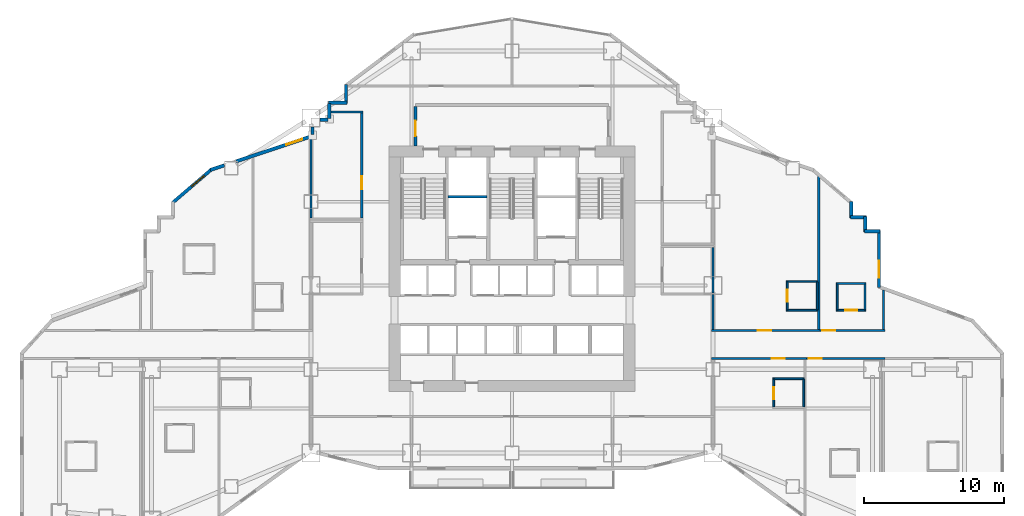
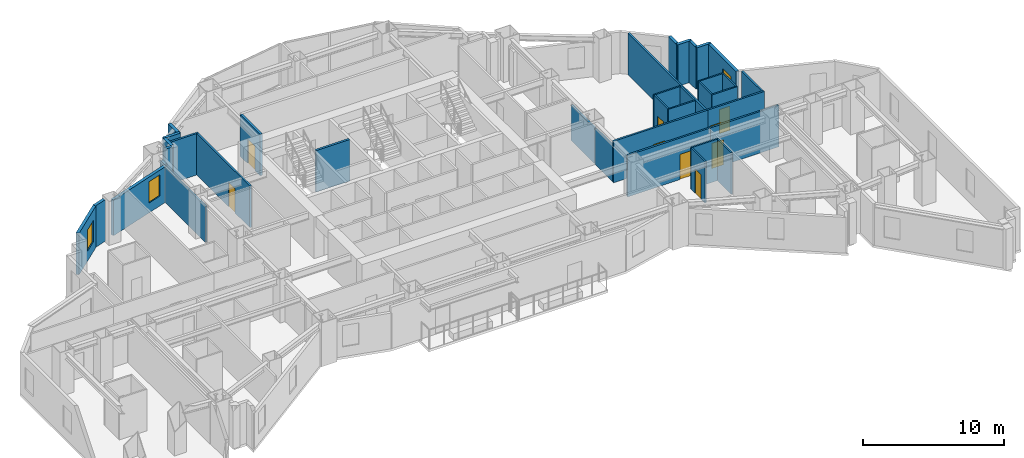
# One storey, part 10 of 17: 37 walls, 9 doors, 3 windows, 12 openings.
"""IFC4 building model written with IfcOpenShell, lengths in metres."""

from ifc_helpers import new_model, si_unit, direction, frame, frame_2d, origin, place, context, subcontext, project, spatial, rectangle, extrude, material, layer, layer_set, type_object, element, fill, save


model = new_model("IFC4")

# Units and contexts
model_context = context("Model", 3, precision=1e-05, world=origin(), true_north=direction((0.0, 1.0)))
body_context = subcontext(model_context, "Body", "Model", "MODEL_VIEW")
ifc_project = project(units=[si_unit("LENGTHUNIT", "METRE"), si_unit("AREAUNIT", "SQUARE_METRE"), si_unit("VOLUMEUNIT", "CUBIC_METRE"), si_unit("PLANEANGLEUNIT", "RADIAN"), si_unit("MASSUNIT", "GRAM", prefix="KILO")], contexts=[model_context])

# Site, building, storey
site_placement = place(None, origin())
site = spatial("IfcSite", under=ifc_project, at=site_placement, CompositionType="ELEMENT")
building_placement = place(site_placement, origin())
building = spatial("IfcBuilding", under=site, at=building_placement, Name="Haolan Belvedere Tower", CompositionType="ELEMENT")
storey_placement = place(building_placement, frame((0.0, 0.0, 27.800048828125)))
storey = spatial("IfcBuildingStorey", under=building, at=storey_placement, Name="L06", CompositionType="ELEMENT", Elevation=27.800048828125)

# Wall, opening, window
ifc_material_1 = material(Name="Precast concrete C40/50", Category="concrete")
ifc_layer_1 = layer(ifc_material_1, 0.239990234375, Name="Precast concrete C40/50")
ifc_layer_set_1 = layer_set([ifc_layer_1], Name="Precast concrete C40/50")
wall_type_1 = type_object("IfcWallType", Name="WL-EXT-240", PredefinedType="SOLIDWALL", material=ifc_layer_set_1)
wall_1_placement = place(storey_placement, frame((64.679931640625, 33.4609375, 0.0), z_axis=(0.0, 0.0, 1.0), x_axis=(0.0, 1.0, 0.0)))
wall_1 = element("IfcWall", 1, at=wall_1_placement, inside=storey, type_object=wall_type_1, Name="L06 pale-metal exterior spandrel wall 29.1", PredefinedType="SOLIDWALL", context=body_context, shape_type="SweptSolid", body=[
    extrude(rectangle(XDim=4.073974609375, YDim=0.239990234375, at=frame_2d((2.037109375, 0.0))), origin(), (0.0, 0.0, 1.0), 3.599853515625),
])
opening_1_placement = place(wall_1_placement, frame((0.699951171875, 0.0, 0.85009765625)))
opening_1 = element("IfcOpeningElement", 2, at=opening_1_placement, cuts=wall_1, Name="Opening W-01", PredefinedType="OPENING", context=body_context, shape_type="SweptSolid", body=[
    extrude(rectangle(XDim=1.199951171875, YDim=1.85009765625, at=frame_2d((0.60009765625, 0.925048828125))), frame((0.0, 0.1298828125, 0.0), z_axis=(0.0, -1.0, 0.0), x_axis=(1.0, 0.0, 0.0)), (0.0, 0.0, 1.0), 0.260009765625),
])
ifc_material_2 = material(Name="Anodised aluminium 6063-T6 and Low-E glass", Category="aluminium")
window_type = type_object("IfcWindowType", Name="WN-DECO-Z1", PartitioningType="SINGLE_PANEL", PredefinedType="WINDOW", material=ifc_material_2)
window_1_placement = place(opening_1_placement, origin())
window_1 = element("IfcWindow", 3, at=window_1_placement, inside=storey, type_object=window_type, Name="L06 Art Deco chevron window 1", OverallHeight=1.85009765625, OverallWidth=1.199951171875, PartitioningType="SINGLE_PANEL", PredefinedType="WINDOW", context=body_context, shape_type="SweptSolid", body=[
    extrude(rectangle(XDim=1.199951171875, YDim=1.85009765625, at=frame_2d((0.60009765625, 0.925048828125))), frame((0.0, 0.030029296875, 0.0), z_axis=(0.0, -1.0, 0.0), x_axis=(1.0, 0.0, 0.0)), (0.0, 0.0, 1.0), 0.06005859375),
])
fill(opening_1, window_1)

# Walls
wall_2_placement = place(storey_placement, frame((64.735107421875, 37.47998046875, 0.0), z_axis=(0.0, 0.0, 1.0), x_axis=(-1.0, 0.0, 0.0)))
element("IfcWall", 4, at=wall_2_placement, inside=storey, type_object=wall_type_1, Name="L06 pale-metal exterior spandrel wall 30.1", PredefinedType="SOLIDWALL", context=body_context, shape_type="SweptSolid", body=[
    extrude(rectangle(XDim=1.110107421875, YDim=0.239990234375, at=frame_2d((0.55517578125, 0.0))), origin(), (0.0, 0.0, 1.0), 3.599853515625),
])
wall_3_placement = place(storey_placement, frame((63.679931640625, 37.425048828125, 0.0), z_axis=(0.0, 0.0, 1.0), x_axis=(0.0, 1.0, 0.0)))
element("IfcWall", 5, at=wall_3_placement, inside=storey, type_object=wall_type_1, Name="L06 pale-metal exterior spandrel wall 31.1", PredefinedType="SOLIDWALL", context=body_context, shape_type="SweptSolid", body=[
    extrude(rectangle(XDim=1.10986328125, YDim=0.239990234375, at=frame_2d((0.554931640625, 0.0))), origin(), (0.0, 0.0, 1.0), 3.599853515625),
])
wall_4_placement = place(storey_placement, frame((63.735107421875, 38.47998046875, 0.0), z_axis=(0.0, 0.0, 1.0), x_axis=(-1.0, 0.0, 0.0)))
element("IfcWall", 6, at=wall_4_placement, inside=storey, type_object=wall_type_1, Name="L06 pale-metal exterior spandrel wall 32.1", PredefinedType="SOLIDWALL", context=body_context, shape_type="SweptSolid", body=[
    extrude(rectangle(XDim=1.110107421875, YDim=0.239990234375, at=frame_2d((0.55517578125, 0.0))), origin(), (0.0, 0.0, 1.0), 3.599853515625),
])
wall_5_placement = place(storey_placement, frame((62.679931640625, 38.425048828125, 0.0), z_axis=(0.0, 0.0, 1.0), x_axis=(0.0, 1.0, 0.0)))
element("IfcWall", 7, at=wall_5_placement, inside=storey, type_object=wall_type_1, Name="L06 pale-metal exterior spandrel wall 33.1", PredefinedType="SOLIDWALL", context=body_context, shape_type="SweptSolid", body=[
    extrude(rectangle(XDim=1.1748046875, YDim=0.239990234375, at=frame_2d((0.58740234375, 0.0))), origin(), (0.0, 0.0, 1.0), 3.599853515625),
])
wall_6_placement = place(storey_placement, frame((26.52001953125, 47.9951171875, 0.0), z_axis=(0.0, 0.0, 1.0), x_axis=(0.0, -1.0, 0.0)))
element("IfcWall", 8, at=wall_6_placement, inside=storey, type_object=wall_type_1, Name="L06 pale-metal exterior spandrel wall 45.1", PredefinedType="SOLIDWALL", context=body_context, shape_type="SweptSolid", body=[
    extrude(rectangle(XDim=1.3701171875, YDim=0.239990234375, at=frame_2d((0.68505859375, 0.0))), origin(), (0.0, 0.0, 1.0), 3.599853515625),
])
wall_7_placement = place(storey_placement, frame((26.574951171875, 46.679931640625, 0.0), z_axis=(0.0, 0.0, 1.0), x_axis=(-1.0, 0.0, 0.0)))
element("IfcWall", 9, at=wall_7_placement, inside=storey, type_object=wall_type_1, Name="L06 pale-metal exterior spandrel wall 46.1", PredefinedType="SOLIDWALL", context=body_context, shape_type="SweptSolid", body=[
    extrude(rectangle(XDim=1.31005859375, YDim=0.239990234375, at=frame_2d((0.655029296875, 0.0))), origin(), (0.0, 0.0, 1.0), 3.599853515625),
])
wall_8_placement = place(storey_placement, frame((25.320068359375, 46.614990234375, 0.0), z_axis=(0.0, 0.0, 1.0), x_axis=(0.0, -1.0, 0.0)))
element("IfcWall", 10, at=wall_8_placement, inside=storey, type_object=wall_type_1, Name="L06 pale-metal exterior spandrel wall 47.1", PredefinedType="SOLIDWALL", context=body_context, shape_type="SweptSolid", body=[
    extrude(rectangle(XDim=1.050048828125, YDim=0.239990234375, at=frame_2d((0.52490234375, 0.0))), origin(), (0.0, 0.0, 1.0), 3.599853515625),
])
wall_9_placement = place(storey_placement, frame((25.235107421875, 45.47998046875, 0.0), z_axis=(0.0, 0.0, 1.0), x_axis=(-1.0, 0.0, 0.0)))
element("IfcWall", 11, at=wall_9_placement, inside=storey, type_object=wall_type_1, Name="L06 pale-metal exterior spandrel wall 48.1", PredefinedType="SOLIDWALL", context=body_context, shape_type="SweptSolid", body=[
    extrude(rectangle(XDim=0.593017578125, YDim=0.239990234375, at=frame_2d((0.29638671875, 0.0))), origin(), (0.0, 0.0, 1.0), 3.599853515625),
])
wall_10_placement = place(storey_placement, frame((24.1201171875, 44.9580078125, 0.0), z_axis=(0.0, 0.0, 1.0), x_axis=(0.0, -1.0, 0.0)))
element("IfcWall", 12, at=wall_10_placement, inside=storey, type_object=wall_type_1, Name="L06 pale-metal exterior spandrel wall 49.1", PredefinedType="SOLIDWALL", context=body_context, shape_type="SweptSolid", body=[
    extrude(rectangle(XDim=0.5595703125, YDim=0.239990234375, at=frame_2d((0.27978515625, 0.0))), origin(), (0.0, 0.0, 1.0), 3.096923828125),
])

# Wall, opening, window
wall_11_placement = place(storey_placement, frame((24.039306640625, 44.28662109375, 0.0), z_axis=(0.0, 0.0, 1.0), x_axis=(-0.948678995954, -0.316240672014, 0.0)))
wall_11 = element("IfcWall", 13, at=wall_11_placement, inside=storey, type_object=wall_type_1, Name="L06 pale-metal exterior spandrel wall 50.1", PredefinedType="SOLIDWALL", context=body_context, shape_type="SweptSolid", body=[
    extrude(rectangle(XDim=5.675048828125, YDim=0.239990234375, at=frame_2d((2.83740234375, 0.0))), origin(), (0.0, 0.0, 1.0), 3.096923828125),
])
opening_2_placement = place(wall_11_placement, frame((0.699951171875, 0.0, 0.85009765625)))
opening_2 = element("IfcOpeningElement", 14, at=opening_2_placement, cuts=wall_11, Name="Opening W-01", PredefinedType="OPENING", context=body_context, shape_type="SweptSolid", body=[
    extrude(rectangle(XDim=1.199951171875, YDim=1.85009765625, at=frame_2d((0.60009765625, 0.925048828125))), frame((0.0, 0.1298828125, 0.0), z_axis=(0.0, -1.0, 0.0), x_axis=(1.0, 0.0, 0.0)), (0.0, 0.0, 1.0), 0.260009765625),
])
window_2_placement = place(opening_2_placement, origin())
window_2 = element("IfcWindow", 15, at=window_2_placement, inside=storey, type_object=window_type, Name="L06 Art Deco chevron window 1", OverallHeight=1.85009765625, OverallWidth=1.199951171875, PartitioningType="SINGLE_PANEL", PredefinedType="WINDOW", context=body_context, shape_type="SweptSolid", body=[
    extrude(rectangle(XDim=1.199951171875, YDim=1.85009765625, at=frame_2d((0.60009765625, 0.925048828125))), frame((0.0, 0.030029296875, 0.0), z_axis=(0.0, -1.0, 0.0), x_axis=(1.0, 0.0, 0.0)), (0.0, 0.0, 1.0), 0.06005859375),
])
fill(opening_2, window_2)

# Wall
wall_12_placement = place(storey_placement, frame((17.80810546875, 42.20947265625, 0.0), z_axis=(0.0, 0.0, 1.0), x_axis=(-0.948706457285, -0.316158279832, 0.0)))
element("IfcWall", 16, at=wall_12_placement, inside=storey, type_object=wall_type_1, Name="L06 pale-metal exterior spandrel wall 50.2", PredefinedType="SOLIDWALL", context=body_context, shape_type="SweptSolid", body=[
    extrude(rectangle(XDim=1.053955078125, YDim=0.239990234375, at=frame_2d((0.52685546875, 0.0))), origin(), (0.0, 0.0, 1.0), 3.599853515625),
])

# Wall, opening, window
wall_13_placement = place(storey_placement, frame((16.902099609375, 41.929443359375, 0.0), z_axis=(0.0, 0.0, 1.0), x_axis=(-0.759275136126, -0.650769750112, 0.0)))
wall_13 = element("IfcWall", 17, at=wall_13_placement, inside=storey, type_object=wall_type_1, Name="L06 pale-metal exterior spandrel wall 51.1", PredefinedType="SOLIDWALL", context=body_context, shape_type="SweptSolid", body=[
    extrude(rectangle(XDim=3.71923828125, YDim=0.239990234375, at=frame_2d((1.859619140625, 0.0))), origin(), (0.0, 0.0, 1.0), 3.599853515625),
])
opening_3_placement = place(wall_13_placement, frame((0.699951171875, 0.0, 0.85009765625)))
opening_3 = element("IfcOpeningElement", 18, at=opening_3_placement, cuts=wall_13, Name="Opening W-01", PredefinedType="OPENING", context=body_context, shape_type="SweptSolid", body=[
    extrude(rectangle(XDim=1.199951171875, YDim=1.85009765625, at=frame_2d((0.60009765625, 0.925048828125))), frame((0.0, 0.1298828125, 0.0), z_axis=(0.0, -1.0, 0.0), x_axis=(1.0, 0.0, 0.0)), (0.0, 0.0, 1.0), 0.260009765625),
])
window_3_placement = place(opening_3_placement, origin())
window_3 = element("IfcWindow", 19, at=window_3_placement, inside=storey, type_object=window_type, Name="L06 Art Deco chevron window 1", OverallHeight=1.85009765625, OverallWidth=1.199951171875, PartitioningType="SINGLE_PANEL", PredefinedType="WINDOW", context=body_context, shape_type="SweptSolid", body=[
    extrude(rectangle(XDim=1.199951171875, YDim=1.85009765625, at=frame_2d((0.60009765625, 0.925048828125))), frame((0.0, 0.030029296875, 0.0), z_axis=(0.0, -1.0, 0.0), x_axis=(1.0, 0.0, 0.0)), (0.0, 0.0, 1.0), 0.06005859375),
])
fill(opening_3, window_3)

# Wall, opening, door
ifc_material_3 = material(Name="Concrete C40/50", Category="concrete")
ifc_layer_2 = layer(ifc_material_3, 0.199951171875, Name="Concrete C40/50")
ifc_layer_set_2 = layer_set([ifc_layer_2], Name="Concrete C40/50")
wall_type_2 = type_object("IfcWallType", Name="WL-FIRE-200", PredefinedType="SOLIDWALL", material=ifc_layer_set_2)
wall_14_placement = place(storey_placement, frame((31.5, 43.60009765625, 0.0), z_axis=(0.0, 0.0, 1.0), x_axis=(0.0, 1.0, 0.0)))
wall_14 = element("IfcWall", 20, at=wall_14_placement, inside=storey, type_object=wall_type_2, Name="L06 interior partition IW-L06-FFL-W", PredefinedType="SOLIDWALL", context=body_context, shape_type="SweptSolid", body=[
    extrude(rectangle(XDim=2.8349609375, YDim=0.199951171875, at=frame_2d((1.41748046875, 0.0))), origin(), (0.0, 0.0, 1.0), 3.599853515625),
])
opening_4_placement = place(wall_14_placement, frame((1.800048828125, 0.0, 0.0), z_axis=(0.0, 0.0, 1.0), x_axis=(-1.0, 0.0, 0.0)))
opening_4 = element("IfcOpeningElement", 21, at=opening_4_placement, cuts=wall_14, Name="Opening FD-03", PredefinedType="OPENING", context=body_context, shape_type="SweptSolid", body=[
    extrude(rectangle(XDim=1.10009765625, YDim=2.14990234375, at=frame_2d((0.550048828125, 1.074951171875))), frame((0.0, 0.10986328125, 0.0), z_axis=(0.0, -1.0, 0.0), x_axis=(1.0, 0.0, 0.0)), (0.0, 0.0, 1.0), 0.219970703125),
])
ifc_material_4 = material(Name="Galvanised fire-rated steel", Category="steel")
door_type_1 = type_object("IfcDoorType", Name="DR-FD90-1100", OperationType="NOTDEFINED", PredefinedType="DOOR", material=ifc_material_4)
door_1_placement = place(opening_4_placement, origin())
door_1 = element("IfcDoor", 22, at=door_1_placement, inside=storey, type_object=door_type_1, Name="L06 door ID-L06-FFL-DW", OperationType="SINGLE_SWING_LEFT", OverallHeight=2.14990234375, OverallWidth=1.10009765625, PredefinedType="DOOR", context=body_context, shape_type="SweptSolid", body=[
    extrude(rectangle(XDim=1.10009765625, YDim=2.14990234375, at=frame_2d((0.550048828125, 1.074951171875))), frame((0.0, 0.02490234375, 0.0), z_axis=(0.0, -1.0, 0.0), x_axis=(1.0, 0.0, 0.0)), (0.0, 0.0, 1.0), 0.050048828125),
])
fill(opening_4, door_1)

# Walls
ifc_material_5 = material(Name="Double gypsum acoustic stud partition", Category="masonry")
ifc_layer_3 = layer(ifc_material_5, 0.14990234375, Name="Double gypsum acoustic stud partition")
ifc_layer_set_3 = layer_set([ifc_layer_3], Name="Double gypsum acoustic stud partition")
wall_type_3 = type_object("IfcWallType", Name="WL-PART-150", PredefinedType="PARTITIONING", material=ifc_layer_set_3)
wall_15_placement = place(storey_placement, frame((25.425048828125, 46.02001953125, 0.0), z_axis=(0.0, 0.0, 1.0), x_axis=(1.0, 0.0, 0.0)))
element("IfcWall", 23, at=wall_15_placement, inside=storey, type_object=wall_type_3, Name="L06 interior partition IW-L06-VLT-N", PredefinedType="PARTITIONING", context=body_context, shape_type="SweptSolid", body=[
    extrude(rectangle(XDim=2.294921875, YDim=0.14990234375, at=frame_2d((1.1474609375, 0.0))), origin(), (0.0, 0.0, 1.0), 3.599853515625),
])
wall_16_placement = place(storey_placement, frame((24.0, 38.419921875, 0.0), z_axis=(0.0, 0.0, 1.0), x_axis=(0.0, 1.0, 0.0)))
element("IfcWall", 24, at=wall_16_placement, inside=storey, type_object=wall_type_3, Name="L06 interior partition IW-L06-VLT-W", PredefinedType="PARTITIONING", context=body_context, shape_type="SweptSolid", body=[
    extrude(rectangle(XDim=5.742919921875, YDim=0.14990234375, at=frame_2d((2.87158203125, 0.0))), origin(), (0.0, 0.0, 1.0), 3.096923828125),
])

# Wall, opening, door
wall_17_placement = place(storey_placement, frame((27.639892578125, 38.419921875, 0.0), z_axis=(0.0, 0.0, 1.0), x_axis=(0.0, 1.0, 0.0)))
wall_17 = element("IfcWall", 25, at=wall_17_placement, inside=storey, type_object=wall_type_3, Name="L06 interior partition IW-L06-VLT-E", PredefinedType="PARTITIONING", context=body_context, shape_type="SweptSolid", body=[
    extrude(rectangle(XDim=7.5400390625, YDim=0.14990234375, at=frame_2d((3.77001953125, 0.0))), origin(), (0.0, 0.0, 1.0), 3.599853515625),
])
opening_5_placement = place(wall_17_placement, frame((3.010009765625, 0.0, 0.0), z_axis=(0.0, 0.0, 1.0), x_axis=(-1.0, 0.0, 0.0)))
opening_5 = element("IfcOpeningElement", 26, at=opening_5_placement, cuts=wall_17, Name="Opening ID-03", PredefinedType="OPENING", context=body_context, shape_type="SweptSolid", body=[
    extrude(rectangle(XDim=0.949951171875, YDim=2.1201171875, at=frame_2d((0.47509765625, 1.06005859375))), frame((0.0, 0.0849609375, 0.0), z_axis=(0.0, -1.0, 0.0), x_axis=(1.0, 0.0, 0.0)), (0.0, 0.0, 1.0), 0.169921875),
])
ifc_material_6 = material(Name="Painted solid-core timber", Category="wood")
door_type_2 = type_object("IfcDoorType", Name="DR-INT-950", OperationType="NOTDEFINED", PredefinedType="DOOR", material=ifc_material_6)
door_2_placement = place(opening_5_placement, origin())
door_2 = element("IfcDoor", 27, at=door_2_placement, inside=storey, type_object=door_type_2, Name="L06 door ID-L06-VLT", OperationType="SINGLE_SWING_RIGHT", OverallHeight=2.1201171875, OverallWidth=0.949951171875, PredefinedType="DOOR", context=body_context, shape_type="SweptSolid", body=[
    extrude(rectangle(XDim=0.949951171875, YDim=2.1201171875, at=frame_2d((0.47509765625, 1.06005859375))), frame((0.0, 0.02490234375, 0.0), z_axis=(0.0, -1.0, 0.0), x_axis=(1.0, 0.0, 0.0)), (0.0, 0.0, 1.0), 0.050048828125),
])
fill(opening_5, door_2)

# Wall
wall_18_placement = place(storey_placement, frame((52.800048828125, 33.06005859375, 0.0), z_axis=(0.0, 0.0, 1.0), x_axis=(0.0, 1.0, 0.0)))
element("IfcWall", 28, at=wall_18_placement, inside=storey, type_object=wall_type_3, Name="L06 interior partition IW-L06-AWC-E", PredefinedType="PARTITIONING", context=body_context, shape_type="SweptSolid", body=[
    extrude(rectangle(XDim=3.280029296875, YDim=0.14990234375, at=frame_2d((1.64013671875, 0.0))), origin(), (0.0, 0.0, 1.0), 3.096923828125),
])

# Wall, opening, door
wall_19_placement = place(storey_placement, frame((52.699951171875, 30.3798828125, 0.0), z_axis=(0.0, 0.0, 1.0), x_axis=(1.0, 0.0, 0.0)))
wall_19 = element("IfcWall", 29, at=wall_19_placement, inside=storey, type_object=wall_type_3, Name="L06 interior partition IW-L06-T4N1-S", PredefinedType="PARTITIONING", context=body_context, shape_type="SweptSolid", body=[
    extrude(rectangle(XDim=7.760009765625, YDim=0.14990234375, at=frame_2d((3.8798828125, 0.0))), origin(), (0.0, 0.0, 1.0), 3.599853515625),
])
opening_6_placement = place(wall_19_placement, frame((3.293701171875, 0.0, 0.0)))
opening_6 = element("IfcOpeningElement", 30, at=opening_6_placement, cuts=wall_19, Name="Opening ID-01", PredefinedType="OPENING", context=body_context, shape_type="SweptSolid", body=[
    extrude(rectangle(XDim=0.949951171875, YDim=2.179931640625, at=frame_2d((0.47509765625, 1.08984375))), frame((0.0, 0.0849609375, 0.0), z_axis=(0.0, -1.0, 0.0), x_axis=(1.0, 0.0, 0.0)), (0.0, 0.0, 1.0), 0.169921875),
])
ifc_material_7 = material(Name="Acoustic walnut veneer fire-rated timber", Category="wood")
door_type_3 = type_object("IfcDoorType", Name="DR-SUITE-950", OperationType="NOTDEFINED", PredefinedType="DOOR", material=ifc_material_7)
door_3_placement = place(opening_6_placement, origin())
door_3 = element("IfcDoor", 31, at=door_3_placement, inside=storey, type_object=door_type_3, Name="L06 door ID-L06-T4N1-ENT", OperationType="SINGLE_SWING_LEFT", OverallHeight=2.179931640625, OverallWidth=0.949951171875, PredefinedType="DOOR", context=body_context, shape_type="SweptSolid", body=[
    extrude(rectangle(XDim=0.949951171875, YDim=2.179931640625, at=frame_2d((0.47509765625, 1.08984375))), frame((0.0, 0.02490234375, 0.0), z_axis=(0.0, -1.0, 0.0), x_axis=(1.0, 0.0, 0.0)), (0.0, 0.0, 1.0), 0.050048828125),
])
fill(opening_6, door_3)

# Walls
wall_20_placement = place(storey_placement, frame((52.800048828125, 30.43994140625, 0.0), z_axis=(0.0, 0.0, 1.0), x_axis=(0.0, 1.0, 0.0)))
element("IfcWall", 32, at=wall_20_placement, inside=storey, type_object=wall_type_3, Name="L06 interior partition IW-L06-T4N1-W", PredefinedType="PARTITIONING", context=body_context, shape_type="SweptSolid", body=[
    extrude(rectangle(XDim=2.5, YDim=0.14990234375, at=frame_2d((1.25, 0.0))), origin(), (0.0, 0.0, 1.0), 3.096923828125),
])
wall_21_placement = place(storey_placement, frame((60.360107421875, 30.43994140625, 0.0), z_axis=(0.0, 0.0, 1.0), x_axis=(0.0, 1.0, 0.0)))
element("IfcWall", 33, at=wall_21_placement, inside=storey, type_object=wall_type_3, Name="L06 interior partition IW-L06-T4N1-E", PredefinedType="PARTITIONING", context=body_context, shape_type="SweptSolid", body=[
    extrude(rectangle(XDim=10.955078125, YDim=0.14990234375, at=frame_2d((5.4775390625, 0.0))), origin(), (0.0, 0.0, 1.0), 3.599853515625),
])

# Wall, opening, door
wall_22_placement = place(storey_placement, frame((60.4619140625, 30.3798828125, 0.0), z_axis=(0.0, 0.0, 1.0), x_axis=(1.0, 0.0, 0.0)))
wall_22 = element("IfcWall", 34, at=wall_22_placement, inside=storey, type_object=wall_type_3, Name="L06 interior partition IW-L06-T4N2-S", PredefinedType="PARTITIONING", context=body_context, shape_type="SweptSolid", body=[
    extrude(rectangle(XDim=4.63818359375, YDim=0.14990234375, at=frame_2d((2.319091796875, 0.0))), origin(), (0.0, 0.0, 1.0), 3.599853515625),
])
opening_7_placement = place(wall_22_placement, frame((0.139892578125, 0.0, 0.0)))
opening_7 = element("IfcOpeningElement", 35, at=opening_7_placement, cuts=wall_22, Name="Opening ID-02", PredefinedType="OPENING", context=body_context, shape_type="SweptSolid", body=[
    extrude(rectangle(XDim=0.949951171875, YDim=2.14990234375, at=frame_2d((0.47509765625, 1.074951171875))), frame((0.0, 0.0849609375, 0.0), z_axis=(0.0, -1.0, 0.0), x_axis=(1.0, 0.0, 0.0)), (0.0, 0.0, 1.0), 0.169921875),
])
ifc_material_8 = material(Name="Acoustic oak veneer fire-rated timber", Category="wood")
door_type_4 = type_object("IfcDoorType", Name="DR-GUEST-950", OperationType="NOTDEFINED", PredefinedType="DOOR", material=ifc_material_8)
door_4_placement = place(opening_7_placement, origin())
door_4 = element("IfcDoor", 36, at=door_4_placement, inside=storey, type_object=door_type_4, Name="L06 door ID-L06-T4N2-ENT", OperationType="SINGLE_SWING_RIGHT", OverallHeight=2.14990234375, OverallWidth=0.949951171875, PredefinedType="DOOR", context=body_context, shape_type="SweptSolid", body=[
    extrude(rectangle(XDim=0.949951171875, YDim=2.14990234375, at=frame_2d((0.47509765625, 1.074951171875))), frame((0.0, 0.02490234375, 0.0), z_axis=(0.0, -1.0, 0.0), x_axis=(1.0, 0.0, 0.0)), (0.0, 0.0, 1.0), 0.050048828125),
])
fill(opening_7, door_4)

# Wall
wall_23_placement = place(storey_placement, frame((65.0, 30.43994140625, 0.0), z_axis=(0.0, 0.0, 1.0), x_axis=(0.0, 1.0, 0.0)))
element("IfcWall", 37, at=wall_23_placement, inside=storey, type_object=wall_type_3, Name="L06 interior partition IW-L06-T4N2-E", PredefinedType="PARTITIONING", context=body_context, shape_type="SweptSolid", body=[
    extrude(rectangle(XDim=2.84814453125, YDim=0.14990234375, at=frame_2d((1.424072265625, 0.0))), origin(), (0.0, 0.0, 1.0), 3.599853515625),
])

# Wall, opening, door
wall_24_placement = place(storey_placement, frame((52.699951171875, 28.3701171875, 0.0), z_axis=(0.0, 0.0, 1.0), x_axis=(1.0, 0.0, 0.0)))
wall_24 = element("IfcWall", 38, at=wall_24_placement, inside=storey, type_object=wall_type_3, Name="L06 interior partition IW-L06-T4S1-N", PredefinedType="PARTITIONING", context=body_context, shape_type="SweptSolid", body=[
    extrude(rectangle(XDim=6.7900390625, YDim=0.14990234375, at=frame_2d((3.39501953125, 0.0))), origin(), (0.0, 0.0, 1.0), 3.599853515625),
])
opening_8_placement = place(wall_24_placement, frame((5.239990234375, 0.0, 0.0), z_axis=(0.0, 0.0, 1.0), x_axis=(-1.0, 0.0, 0.0)))
opening_8 = element("IfcOpeningElement", 39, at=opening_8_placement, cuts=wall_24, Name="Opening ID-01", PredefinedType="OPENING", context=body_context, shape_type="SweptSolid", body=[
    extrude(rectangle(XDim=0.949951171875, YDim=2.179931640625, at=frame_2d((0.47509765625, 1.08984375))), frame((0.0, 0.0849609375, 0.0), z_axis=(0.0, -1.0, 0.0), x_axis=(1.0, 0.0, 0.0)), (0.0, 0.0, 1.0), 0.169921875),
])
door_5_placement = place(opening_8_placement, origin())
door_5 = element("IfcDoor", 40, at=door_5_placement, inside=storey, type_object=door_type_3, Name="L06 door ID-L06-T4S1-ENT", OperationType="SINGLE_SWING_LEFT", OverallHeight=2.179931640625, OverallWidth=0.949951171875, PredefinedType="DOOR", context=body_context, shape_type="SweptSolid", body=[
    extrude(rectangle(XDim=0.949951171875, YDim=2.179931640625, at=frame_2d((0.47509765625, 1.08984375))), frame((0.0, 0.02490234375, 0.0), z_axis=(0.0, -1.0, 0.0), x_axis=(1.0, 0.0, 0.0)), (0.0, 0.0, 1.0), 0.050048828125),
])
fill(opening_8, door_5)

wall_25_placement = place(storey_placement, frame((59.491943359375, 28.3701171875, 0.0), z_axis=(0.0, 0.0, 1.0), x_axis=(1.0, 0.0, 0.0)))
wall_25 = element("IfcWall", 41, at=wall_25_placement, inside=storey, type_object=wall_type_3, Name="L06 interior partition IW-L06-T4S2-N", PredefinedType="PARTITIONING", context=body_context, shape_type="SweptSolid", body=[
    extrude(rectangle(XDim=5.608154296875, YDim=0.14990234375, at=frame_2d((2.80419921875, 0.0))), origin(), (0.0, 0.0, 1.0), 3.599853515625),
])
opening_9_placement = place(wall_25_placement, frame((1.08984375, 0.0, 0.0), z_axis=(0.0, 0.0, 1.0), x_axis=(-1.0, 0.0, 0.0)))
opening_9 = element("IfcOpeningElement", 42, at=opening_9_placement, cuts=wall_25, Name="Opening ID-01", PredefinedType="OPENING", context=body_context, shape_type="SweptSolid", body=[
    extrude(rectangle(XDim=0.949951171875, YDim=2.179931640625, at=frame_2d((0.47509765625, 1.08984375))), frame((0.0, 0.0849609375, 0.0), z_axis=(0.0, -1.0, 0.0), x_axis=(1.0, 0.0, 0.0)), (0.0, 0.0, 1.0), 0.169921875),
])
door_6_placement = place(opening_9_placement, origin())
door_6 = element("IfcDoor", 43, at=door_6_placement, inside=storey, type_object=door_type_3, Name="L06 door ID-L06-T4S2-ENT", OperationType="SINGLE_SWING_RIGHT", OverallHeight=2.179931640625, OverallWidth=0.949951171875, PredefinedType="DOOR", context=body_context, shape_type="SweptSolid", body=[
    extrude(rectangle(XDim=0.949951171875, YDim=2.179931640625, at=frame_2d((0.47509765625, 1.08984375))), frame((0.0, 0.02490234375, 0.0), z_axis=(0.0, -1.0, 0.0), x_axis=(1.0, 0.0, 0.0)), (0.0, 0.0, 1.0), 0.050048828125),
])
fill(opening_9, door_6)

# Walls
ifc_layer_4 = layer(ifc_material_1, 0.179931640625, Name="Precast concrete C40/50")
ifc_layer_set_4 = layer_set([ifc_layer_4], Name="Precast concrete C40/50")
wall_type_4 = type_object("IfcWallType", Name="WL-SHAFT-180", PredefinedType="SOLIDWALL", material=ifc_layer_set_4)
wall_26_placement = place(storey_placement, frame((33.8349609375, 39.949951171875, 0.0), z_axis=(0.0, 0.0, 1.0), x_axis=(1.0, 0.0, 0.0)))
element("IfcWall", 44, at=wall_26_placement, inside=storey, type_object=wall_type_4, Name="L06 interior partition IW-L06-FF1-S", PredefinedType="SOLIDWALL", context=body_context, shape_type="SweptSolid", body=[
    extrude(rectangle(XDim=2.77001953125, YDim=0.179931640625, at=frame_2d((1.385009765625, 0.0))), origin(), (0.0, 0.0, 1.0), 3.599853515625),
])
ifc_material_9 = material(Name="Moisture-resistant gypsum tile partition", Category="masonry")
ifc_layer_5 = layer(ifc_material_9, 0.1201171875, Name="Moisture-resistant gypsum tile partition")
ifc_layer_set_5 = layer_set([ifc_layer_5], Name="Moisture-resistant gypsum tile partition")
wall_type_5 = type_object("IfcWallType", Name="WL-WET-120", PredefinedType="PARTITIONING", material=ifc_layer_set_5)
for number, where, z_axis, x_axis, name in (
    (45, (58.050048828125, 33.8798828125, 0.0), (0.0, 0.0, 1.0), (1.0, 0.0, 0.0), "L06 interior partition IW-L06-T4N1-BN"),
    (46, (58.050048828125, 31.830078125, 0.0), (0.0, 0.0, 1.0), (1.0, 0.0, 0.0), "L06 interior partition IW-L06-T4N1-BS"),
):
    element("IfcWall", number, at=place(storey_placement, frame(where, z_axis=z_axis, x_axis=x_axis)), inside=storey, type_object=wall_type_5, Name=name, PredefinedType="PARTITIONING", context=body_context, shape_type="SweptSolid", body=[
        extrude(rectangle(XDim=2.25, YDim=0.1201171875, at=frame_2d((1.125, 0.0))), origin(), (0.0, 0.0, 1.0), 3.599853515625),
    ])

# Wall, opening, door
wall_27_placement = place(storey_placement, frame((58.110107421875, 31.875, 0.0), z_axis=(0.0, 0.0, 1.0), x_axis=(0.0, 1.0, 0.0)))
wall_27 = element("IfcWall", 47, at=wall_27_placement, inside=storey, type_object=wall_type_5, Name="L06 interior partition IW-L06-T4N1-BW", PredefinedType="PARTITIONING", context=body_context, shape_type="SweptSolid", body=[
    extrude(rectangle(XDim=1.9599609375, YDim=0.1201171875, at=frame_2d((0.97998046875, 0.0))), origin(), (0.0, 0.0, 1.0), 3.599853515625),
])
opening_10_placement = place(wall_27_placement, frame((1.405029296875, 0.0, 0.0), z_axis=(0.0, 0.0, 1.0), x_axis=(-1.0, 0.0, 0.0)))
opening_10 = element("IfcOpeningElement", 48, at=opening_10_placement, cuts=wall_27, Name="Opening ID-05", PredefinedType="OPENING", context=body_context, shape_type="SweptSolid", body=[
    extrude(rectangle(XDim=0.85009765625, YDim=2.10009765625, at=frame_2d((0.425048828125, 1.050048828125))), frame((0.0, 0.070068359375, 0.0), z_axis=(0.0, -1.0, 0.0), x_axis=(1.0, 0.0, 0.0)), (0.0, 0.0, 1.0), 0.14013671875),
])
ifc_material_10 = material(Name="Moisture-resistant lacquered timber", Category="wood")
door_type_5 = type_object("IfcDoorType", Name="DR-BATH-850", OperationType="NOTDEFINED", PredefinedType="DOOR", material=ifc_material_10)
door_7_placement = place(opening_10_placement, origin())
door_7 = element("IfcDoor", 49, at=door_7_placement, inside=storey, type_object=door_type_5, Name="L06 door ID-L06-T4N1-BATH", OperationType="SINGLE_SWING_RIGHT", OverallHeight=2.10009765625, OverallWidth=0.85009765625, PredefinedType="DOOR", context=body_context, shape_type="SweptSolid", body=[
    extrude(rectangle(XDim=0.85009765625, YDim=2.10009765625, at=frame_2d((0.425048828125, 1.050048828125))), frame((0.0, 0.02490234375, 0.0), z_axis=(0.0, -1.0, 0.0), x_axis=(1.0, 0.0, 0.0)), (0.0, 0.0, 1.0), 0.050048828125),
])
fill(opening_10, door_7)

# Walls
wall_28_placement = place(storey_placement, frame((60.260009765625, 31.875, 0.0), z_axis=(0.0, 0.0, 1.0), x_axis=(0.0, 1.0, 0.0)))
element("IfcWall", 50, at=wall_28_placement, inside=storey, type_object=wall_type_5, Name="L06 interior partition IW-L06-T4N1-BE", PredefinedType="PARTITIONING", context=body_context, shape_type="SweptSolid", body=[
    extrude(rectangle(XDim=1.9599609375, YDim=0.1201171875, at=frame_2d((0.97998046875, 0.0))), origin(), (0.0, 0.0, 1.0), 3.599853515625),
])
wall_29_placement = place(storey_placement, frame((61.6298828125, 33.75, 0.0), z_axis=(0.0, 0.0, 1.0), x_axis=(1.0, 0.0, 0.0)))
element("IfcWall", 51, at=wall_29_placement, inside=storey, type_object=wall_type_5, Name="L06 interior partition IW-L06-T4N2-BN", PredefinedType="PARTITIONING", context=body_context, shape_type="SweptSolid", body=[
    extrude(rectangle(XDim=2.10009765625, YDim=0.1201171875, at=frame_2d((1.050048828125, 0.0))), origin(), (0.0, 0.0, 1.0), 3.599853515625),
])

# Wall, opening, door
wall_30_placement = place(storey_placement, frame((61.6298828125, 31.830078125, 0.0), z_axis=(0.0, 0.0, 1.0), x_axis=(1.0, 0.0, 0.0)))
wall_30 = element("IfcWall", 52, at=wall_30_placement, inside=storey, type_object=wall_type_5, Name="L06 interior partition IW-L06-T4N2-BS", PredefinedType="PARTITIONING", context=body_context, shape_type="SweptSolid", body=[
    extrude(rectangle(XDim=2.10009765625, YDim=0.1201171875, at=frame_2d((1.050048828125, 0.0))), origin(), (0.0, 0.0, 1.0), 3.599853515625),
])
opening_11_placement = place(wall_30_placement, frame((0.625, 0.0, 0.0)))
opening_11 = element("IfcOpeningElement", 53, at=opening_11_placement, cuts=wall_30, Name="Opening ID-05", PredefinedType="OPENING", context=body_context, shape_type="SweptSolid", body=[
    extrude(rectangle(XDim=0.85009765625, YDim=2.10009765625, at=frame_2d((0.425048828125, 1.050048828125))), frame((0.0, 0.070068359375, 0.0), z_axis=(0.0, -1.0, 0.0), x_axis=(1.0, 0.0, 0.0)), (0.0, 0.0, 1.0), 0.14013671875),
])
door_8_placement = place(opening_11_placement, origin())
door_8 = element("IfcDoor", 54, at=door_8_placement, inside=storey, type_object=door_type_5, Name="L06 door ID-L06-T4N2-BATH", OperationType="SINGLE_SWING_LEFT", OverallHeight=2.10009765625, OverallWidth=0.85009765625, PredefinedType="DOOR", context=body_context, shape_type="SweptSolid", body=[
    extrude(rectangle(XDim=0.85009765625, YDim=2.10009765625, at=frame_2d((0.425048828125, 1.050048828125))), frame((0.0, 0.02490234375, 0.0), z_axis=(0.0, -1.0, 0.0), x_axis=(1.0, 0.0, 0.0)), (0.0, 0.0, 1.0), 0.050048828125),
])
fill(opening_11, door_8)

# Walls
for number, where, z_axis, x_axis, name in (
    (55, (61.68994140625, 31.875, 0.0), (0.0, 0.0, 1.0), (0.0, 1.0, 0.0), "L06 interior partition IW-L06-T4N2-BW"),
    (56, (63.669921875, 31.875, 0.0), (0.0, 0.0, 1.0), (0.0, 1.0, 0.0), "L06 interior partition IW-L06-T4N2-BE"),
):
    element("IfcWall", number, at=place(storey_placement, frame(where, z_axis=z_axis, x_axis=x_axis)), inside=storey, type_object=wall_type_5, Name=name, PredefinedType="PARTITIONING", context=body_context, shape_type="SweptSolid", body=[
        extrude(rectangle(XDim=1.830078125, YDim=0.1201171875, at=frame_2d((0.9150390625, 0.0))), origin(), (0.0, 0.0, 1.0), 3.599853515625),
    ])
wall_31_placement = place(storey_placement, frame((57.080078125, 26.919921875, 0.0), z_axis=(0.0, 0.0, 1.0), x_axis=(1.0, 0.0, 0.0)))
element("IfcWall", 57, at=wall_31_placement, inside=storey, type_object=wall_type_5, Name="L06 interior partition IW-L06-T4S1-BN", PredefinedType="PARTITIONING", context=body_context, shape_type="SweptSolid", body=[
    extrude(rectangle(XDim=2.25, YDim=0.1201171875, at=frame_2d((1.125, 0.0))), origin(), (0.0, 0.0, 1.0), 3.599853515625),
])

# Wall, opening, door
wall_32_placement = place(storey_placement, frame((57.139892578125, 24.9150390625, 0.0), z_axis=(0.0, 0.0, 1.0), x_axis=(0.0, 1.0, 0.0)))
wall_32 = element("IfcWall", 58, at=wall_32_placement, inside=storey, type_object=wall_type_5, Name="L06 interior partition IW-L06-T4S1-BW", PredefinedType="PARTITIONING", context=body_context, shape_type="SweptSolid", body=[
    extrude(rectangle(XDim=1.9599609375, YDim=0.1201171875, at=frame_2d((0.97998046875, 0.0))), origin(), (0.0, 0.0, 1.0), 3.599853515625),
])
opening_12_placement = place(wall_32_placement, frame((1.405029296875, 0.0, 0.0), z_axis=(0.0, 0.0, 1.0), x_axis=(-1.0, 0.0, 0.0)))
opening_12 = element("IfcOpeningElement", 59, at=opening_12_placement, cuts=wall_32, Name="Opening ID-05", PredefinedType="OPENING", context=body_context, shape_type="SweptSolid", body=[
    extrude(rectangle(XDim=0.85009765625, YDim=2.10009765625, at=frame_2d((0.425048828125, 1.050048828125))), frame((0.0, 0.070068359375, 0.0), z_axis=(0.0, -1.0, 0.0), x_axis=(1.0, 0.0, 0.0)), (0.0, 0.0, 1.0), 0.14013671875),
])
door_9_placement = place(opening_12_placement, origin())
door_9 = element("IfcDoor", 60, at=door_9_placement, inside=storey, type_object=door_type_5, Name="L06 door ID-L06-T4S1-BATH", OperationType="SINGLE_SWING_RIGHT", OverallHeight=2.10009765625, OverallWidth=0.85009765625, PredefinedType="DOOR", context=body_context, shape_type="SweptSolid", body=[
    extrude(rectangle(XDim=0.85009765625, YDim=2.10009765625, at=frame_2d((0.425048828125, 1.050048828125))), frame((0.0, 0.02490234375, 0.0), z_axis=(0.0, -1.0, 0.0), x_axis=(1.0, 0.0, 0.0)), (0.0, 0.0, 1.0), 0.050048828125),
])
fill(opening_12, door_9)

# Wall
wall_33_placement = place(storey_placement, frame((59.2900390625, 24.9150390625, 0.0), z_axis=(0.0, 0.0, 1.0), x_axis=(0.0, 1.0, 0.0)))
element("IfcWall", 61, at=wall_33_placement, inside=storey, type_object=wall_type_5, Name="L06 interior partition IW-L06-T4S1-BE", PredefinedType="PARTITIONING", context=body_context, shape_type="SweptSolid", body=[
    extrude(rectangle(XDim=1.9599609375, YDim=0.1201171875, at=frame_2d((0.97998046875, 0.0))), origin(), (0.0, 0.0, 1.0), 3.599853515625),
])

save(model, "model.ifc")
